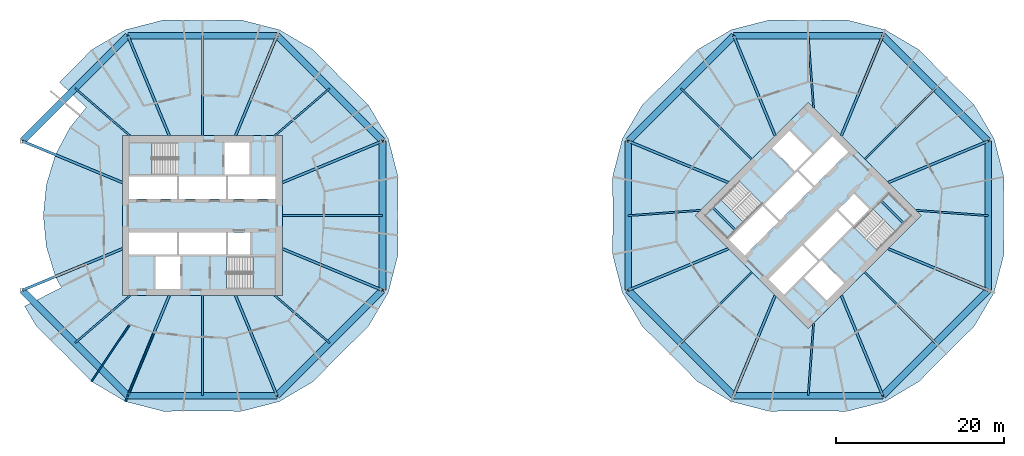
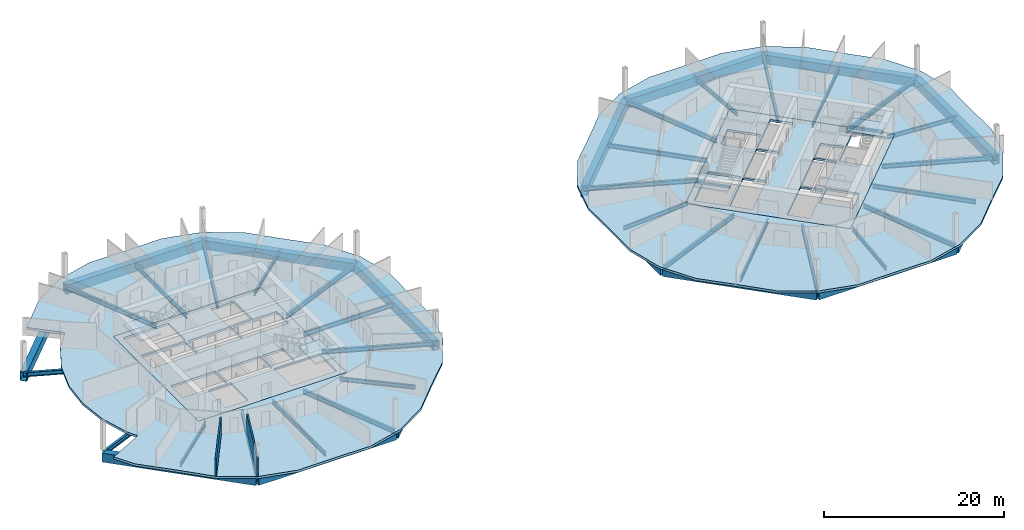
# One storey, part 3 of 10: 48 beams, 8 slabs, 2 walls, 4 elements without a shape of their own.
"""IFC4 building model written with IfcOpenShell, lengths in metres."""

from ifc_helpers import new_model, si_unit, direction, frame, frame_2d, origin, origin_2d, place, context, subcontext, project, spatial, polyline, rectangle, hollow_rectangle, i_section, outline, extrude, material, layer, layer_set, material_profile, profile_set, type_object, element, aggregate, save


model = new_model("IFC4")

# Units and contexts
model_context = context("Model", 3, precision=1e-05, world=origin(), true_north=direction((0.0, 1.0)))
body_context = subcontext(model_context, "Body", "Model", "MODEL_VIEW")
ifc_project = project(units=[si_unit("LENGTHUNIT", "METRE"), si_unit("AREAUNIT", "SQUARE_METRE"), si_unit("VOLUMEUNIT", "CUBIC_METRE"), si_unit("PLANEANGLEUNIT", "RADIAN"), si_unit("MASSUNIT", "GRAM", prefix="KILO")], contexts=[model_context])

# Site, building, storey
site_placement = place(None, origin())
site = spatial("IfcSite", under=ifc_project, at=site_placement, CompositionType="ELEMENT")
building_placement = place(site_placement, origin())
building = spatial("IfcBuilding", under=site, at=building_placement, Name="Ogive Gate Towers", CompositionType="ELEMENT")
storey_placement = place(building_placement, frame((0.0, 0.0, 103.5)))
storey = spatial("IfcBuildingStorey", under=building, at=storey_placement, Name="L24", CompositionType="ELEMENT", Elevation=103.5)

# Beams
ifc_material_1 = material(Name="Steel SM460", Category="steel")
ifc_material_profile_1 = material_profile(ifc_material_1, hollow_rectangle(XDim=0.800048828125, YDim=1.199951171875, WallThickness=0.050048828125, at=origin_2d()), Name="BX 1200x800x50")
ifc_profile_set_1 = profile_set([ifc_material_profile_1], Name="Steel SM460")
beam_type_1 = type_object("IfcBeamType", Name="Edge girder BX 1200x800x50", PredefinedType="BEAM", material=ifc_profile_set_1)
beam_1_placement = place(storey_placement, frame((-57.39697265625, -8.863037109375, -0.89990234375), z_axis=(0.707106781187, -0.707106781187, 0.0), x_axis=(0.707106781187, 0.707106781187, 0.0)))
element("IfcBeam", 1, at=beam_1_placement, inside=storey, type_object=beam_type_1, Name="T1/L24/SBM016", PredefinedType="BEAM", context=body_context, shape_type="SweptSolid", body=[
    extrude(hollow_rectangle(XDim=0.800048828125, YDim=1.199951171875, WallThickness=0.050048828125, at=origin_2d()), origin(), (0.0, 0.0, 1.0), 17.7255859375),
])
beam_2_placement = place(storey_placement, frame((-44.863037109375, -21.39697265625, -0.89990234375), z_axis=(1.0, 0.0, 0.0), x_axis=(0.0, 1.0, 0.0)))
element("IfcBeam", 2, at=beam_2_placement, inside=storey, type_object=beam_type_1, Name="T1/L24/SBM017", PredefinedType="BEAM", context=body_context, shape_type="SweptSolid", body=[
    extrude(hollow_rectangle(XDim=0.800048828125, YDim=1.199951171875, WallThickness=0.050048828125, at=origin_2d()), origin(), (0.0, 0.0, 1.0), 17.72607421875),
])
beam_3_placement = place(storey_placement, frame((-27.136962890625, -21.39697265625, -0.89990234375), z_axis=(0.707106781187, 0.707106781187, 0.0), x_axis=(-0.707106781187, 0.707106781187, 0.0)))
element("IfcBeam", 3, at=beam_3_placement, inside=storey, type_object=beam_type_1, Name="T1/L24/SBM018", PredefinedType="BEAM", context=body_context, shape_type="SweptSolid", body=[
    extrude(hollow_rectangle(XDim=0.800048828125, YDim=1.199951171875, WallThickness=0.050048828125, at=origin_2d()), origin(), (0.0, 0.0, 1.0), 17.7255859375),
])
beam_4_placement = place(storey_placement, frame((-14.60302734375, -8.863037109375, -0.89990234375), z_axis=(0.0, 1.0, 0.0), x_axis=(-1.0, 0.0, 0.0)))
element("IfcBeam", 4, at=beam_4_placement, inside=storey, type_object=beam_type_1, Name="T1/L24/SBM019", PredefinedType="BEAM", context=body_context, shape_type="SweptSolid", body=[
    extrude(hollow_rectangle(XDim=0.800048828125, YDim=1.199951171875, WallThickness=0.050048828125, at=origin_2d()), origin(), (0.0, 0.0, 1.0), 17.72607421875),
])
beam_5_placement = place(storey_placement, frame((-14.60302734375, 8.863037109375, -0.89990234375), z_axis=(-0.707106781187, 0.707106781187, 0.0), x_axis=(-0.707106781187, -0.707106781187, 0.0)))
element("IfcBeam", 5, at=beam_5_placement, inside=storey, type_object=beam_type_1, Name="T1/L24/SBM020", PredefinedType="BEAM", context=body_context, shape_type="SweptSolid", body=[
    extrude(hollow_rectangle(XDim=0.800048828125, YDim=1.199951171875, WallThickness=0.050048828125, at=origin_2d()), origin(), (0.0, 0.0, 1.0), 17.7255859375),
])
beam_6_placement = place(storey_placement, frame((-27.136962890625, 21.39697265625, -0.89990234375), z_axis=(-1.0, 0.0, 0.0), x_axis=(0.0, -1.0, 0.0)))
element("IfcBeam", 6, at=beam_6_placement, inside=storey, type_object=beam_type_1, Name="T1/L24/SBM021", PredefinedType="BEAM", context=body_context, shape_type="SweptSolid", body=[
    extrude(hollow_rectangle(XDim=0.800048828125, YDim=1.199951171875, WallThickness=0.050048828125, at=origin_2d()), origin(), (0.0, 0.0, 1.0), 17.72607421875),
])
for number, where, z_axis, x_axis, name in (
    (7, (-44.863037109375, 21.39697265625, -0.89990234375), (-0.707106781187, -0.707106781187, 0.0), (0.707106781187, -0.707106781187, 0.0), "T1/L24/SBM022"),
    (8, (14.60302734375, -8.863037109375, -0.89990234375), (0.707106781187, -0.707106781187, 0.0), (0.707106781187, 0.707106781187, 0.0), "T2/L24/SBM017"),
):
    element("IfcBeam", number, at=place(storey_placement, frame(where, z_axis=z_axis, x_axis=x_axis)), inside=storey, type_object=beam_type_1, Name=name, PredefinedType="BEAM", context=body_context, shape_type="SweptSolid", body=[
        extrude(hollow_rectangle(XDim=0.800048828125, YDim=1.199951171875, WallThickness=0.050048828125, at=origin_2d()), origin(), (0.0, 0.0, 1.0), 17.7255859375),
    ])
beam_7_placement = place(storey_placement, frame((27.136962890625, -21.39697265625, -0.89990234375), z_axis=(1.0, 0.0, 0.0), x_axis=(0.0, 1.0, 0.0)))
element("IfcBeam", 9, at=beam_7_placement, inside=storey, type_object=beam_type_1, Name="T2/L24/SBM018", PredefinedType="BEAM", context=body_context, shape_type="SweptSolid", body=[
    extrude(hollow_rectangle(XDim=0.800048828125, YDim=1.199951171875, WallThickness=0.050048828125, at=origin_2d()), origin(), (0.0, 0.0, 1.0), 17.72607421875),
])
beam_8_placement = place(storey_placement, frame((44.863037109375, -21.39697265625, -0.89990234375), z_axis=(0.707106781187, 0.707106781187, 0.0), x_axis=(-0.707106781187, 0.707106781187, 0.0)))
element("IfcBeam", 10, at=beam_8_placement, inside=storey, type_object=beam_type_1, Name="T2/L24/SBM019", PredefinedType="BEAM", context=body_context, shape_type="SweptSolid", body=[
    extrude(hollow_rectangle(XDim=0.800048828125, YDim=1.199951171875, WallThickness=0.050048828125, at=origin_2d()), origin(), (0.0, 0.0, 1.0), 17.7255859375),
])
beam_9_placement = place(storey_placement, frame((57.39697265625, -8.863037109375, -0.89990234375), z_axis=(0.0, 1.0, 0.0), x_axis=(-1.0, 0.0, 0.0)))
element("IfcBeam", 11, at=beam_9_placement, inside=storey, type_object=beam_type_1, Name="T2/L24/SBM020", PredefinedType="BEAM", context=body_context, shape_type="SweptSolid", body=[
    extrude(hollow_rectangle(XDim=0.800048828125, YDim=1.199951171875, WallThickness=0.050048828125, at=origin_2d()), origin(), (0.0, 0.0, 1.0), 17.72607421875),
])
beam_10_placement = place(storey_placement, frame((57.39697265625, 8.863037109375, -0.89990234375), z_axis=(-0.707106781187, 0.707106781187, 0.0), x_axis=(-0.707106781187, -0.707106781187, 0.0)))
element("IfcBeam", 12, at=beam_10_placement, inside=storey, type_object=beam_type_1, Name="T2/L24/SBM021", PredefinedType="BEAM", context=body_context, shape_type="SweptSolid", body=[
    extrude(hollow_rectangle(XDim=0.800048828125, YDim=1.199951171875, WallThickness=0.050048828125, at=origin_2d()), origin(), (0.0, 0.0, 1.0), 17.7255859375),
])
beam_11_placement = place(storey_placement, frame((44.863037109375, 21.39697265625, -0.89990234375), z_axis=(-1.0, 0.0, 0.0), x_axis=(0.0, -1.0, 0.0)))
element("IfcBeam", 13, at=beam_11_placement, inside=storey, type_object=beam_type_1, Name="T2/L24/SBM022", PredefinedType="BEAM", context=body_context, shape_type="SweptSolid", body=[
    extrude(hollow_rectangle(XDim=0.800048828125, YDim=1.199951171875, WallThickness=0.050048828125, at=origin_2d()), origin(), (0.0, 0.0, 1.0), 17.72607421875),
])
beam_12_placement = place(storey_placement, frame((27.136962890625, 21.39697265625, -0.89990234375), z_axis=(-0.707106781187, -0.707106781187, 0.0), x_axis=(0.707106781187, -0.707106781187, 0.0)))
element("IfcBeam", 14, at=beam_12_placement, inside=storey, type_object=beam_type_1, Name="T2/L24/SBM023", PredefinedType="BEAM", context=body_context, shape_type="SweptSolid", body=[
    extrude(hollow_rectangle(XDim=0.800048828125, YDim=1.199951171875, WallThickness=0.050048828125, at=origin_2d()), origin(), (0.0, 0.0, 1.0), 17.7255859375),
])
beam_13_placement = place(storey_placement, frame((14.60302734375, 8.863037109375, -0.89990234375), z_axis=(0.0, -1.0, 0.0), x_axis=(1.0, 0.0, 0.0)))
element("IfcBeam", 15, at=beam_13_placement, inside=storey, type_object=beam_type_1, Name="T2/L24/SBM024", PredefinedType="BEAM", context=body_context, shape_type="SweptSolid", body=[
    extrude(hollow_rectangle(XDim=0.800048828125, YDim=1.199951171875, WallThickness=0.050048828125, at=origin_2d()), origin(), (0.0, 0.0, 1.0), 17.72607421875),
])
ifc_material_2 = material(Name="Concrete C40/50", Category="concrete")
ifc_material_profile_2 = material_profile(ifc_material_2, rectangle(XDim=0.25, YDim=0.300048828125, at=origin_2d()), Name="RC 250x300")
ifc_profile_set_2 = profile_set([ifc_material_profile_2], Name="Concrete C40/50")
beam_type_2 = type_object("IfcBeamType", Name="Landing bearer RC 250x300", PredefinedType="BEAM", material=ifc_profile_set_2)
for number, where, z_axis, x_axis, name in (
    (16, (24.650390625, 0.9541015625, 1.60009765625), (0.707106781187, -0.707106781187, 0.0), (0.707106781187, 0.707106781187, 0.0), "T2 L24 stair 1 landing bearer 1"),
    (17, (47.349609375, -0.9541015625, 1.60009765625), (-0.707106781187, 0.707106781187, 0.0), (-0.707106781187, -0.707106781187, 0.0), "T2 L24 stair 2 landing bearer 1"),
):
    element("IfcBeam", number, at=place(storey_placement, frame(where, z_axis=z_axis, x_axis=x_axis)), inside=storey, type_object=beam_type_2, Name=name, PredefinedType="BEAM", context=body_context, shape_type="SweptSolid", body=[
        extrude(rectangle(XDim=0.25, YDim=0.300048828125, at=origin_2d()), origin(), (0.0, 0.0, 1.0), 3.824951171875),
    ])
ifc_material_3 = material(Name="Steel SM355", Category="steel")
ifc_material_profile_3 = material_profile(ifc_material_3, i_section(OverallWidth=0.300048828125, OverallDepth=0.590087890625, WebThickness=0.012939453125, FlangeThickness=0.02490234375, FilletRadius=0.027099609375, at=origin_2d()), Name="HE 600 A")
ifc_profile_set_3 = profile_set([ifc_material_profile_3], Name="Steel SM355")
beam_type_3 = type_object("IfcBeamType", Name="Radial floor beam HE 600 A", PredefinedType="BEAM", material=ifc_profile_set_3)
for number, where, z_axis, x_axis, name in (
    (18, (-45.5, -3.93505859375, -0.594970703125), (-0.923877031545, -0.382689470177, 0.0), (0.382689470177, -0.923877031545, 0.0), "T1/L24/SBM001"),
    (19, (-39.93505859375, -9.5, -0.594970703125), (-0.382689470177, -0.923877031545, 0.0), (0.923877031545, -0.382689470177, 0.0), "T1/L24/SBM003"),
    (20, (-32.06494140625, -9.5, -0.594970703125), (0.382689470177, -0.923877031545, 0.0), (0.923877031545, 0.382689470177, 0.0), "T1/L24/SBM005"),
    (21, (-26.5, -3.93505859375, -0.594970703125), (0.923877031545, -0.382689470177, 0.0), (0.382689470177, 0.923877031545, 0.0), "T1/L24/SBM007"),
    (22, (-26.5, 3.93505859375, -0.594970703125), (0.923877031545, 0.382689470177, 0.0), (-0.382689470177, 0.923877031545, 0.0), "T1/L24/SBM009"),
    (23, (-32.06494140625, 9.5, -0.594970703125), (0.382689470177, 0.923877031545, 0.0), (-0.923877031545, 0.382689470177, 0.0), "T1/L24/SBM011"),
    (24, (-39.93505859375, 9.5, -0.594970703125), (-0.382689470177, 0.923877031545, 0.0), (-0.923877031545, -0.382689470177, 0.0), "T1/L24/SBM013"),
    (25, (-45.5, 3.93505859375, -0.594970703125), (-0.923877031545, 0.382689470177, 0.0), (-0.382689470177, -0.923877031545, 0.0), "T1/L24/SBM015"),
    (26, (26.5, -3.93505859375, -0.594970703125), (-0.923877031545, -0.382689470177, 0.0), (0.382689470177, -0.923877031545, 0.0), "T2/L24/SBM001"),
    (27, (32.06494140625, -9.5, -0.594970703125), (-0.382689470177, -0.923877031545, 0.0), (0.923877031545, -0.382689470177, 0.0), "T2/L24/SBM003"),
    (28, (39.93505859375, -9.5, -0.594970703125), (0.382689470177, -0.923877031545, 0.0), (0.923877031545, 0.382689470177, 0.0), "T2/L24/SBM005"),
    (29, (45.5, -3.93505859375, -0.594970703125), (0.923877031545, -0.382689470177, 0.0), (0.382689470177, 0.923877031545, 0.0), "T2/L24/SBM007"),
    (30, (45.5, 3.93505859375, -0.594970703125), (0.923877031545, 0.382689470177, 0.0), (-0.382689470177, 0.923877031545, 0.0), "T2/L24/SBM009"),
    (31, (39.93505859375, 9.5, -0.594970703125), (0.382689470177, 0.923877031545, 0.0), (-0.923877031545, 0.382689470177, 0.0), "T2/L24/SBM011"),
    (32, (32.06494140625, 9.5, -0.594970703125), (-0.382689470177, 0.923877031545, 0.0), (-0.923877031545, -0.382689470177, 0.0), "T2/L24/SBM013"),
    (33, (26.5, 3.93505859375, -0.594970703125), (-0.923877031545, 0.382689470177, 0.0), (-0.382689470177, -0.923877031545, 0.0), "T2/L24/SBM015"),
):
    element("IfcBeam", number, at=place(storey_placement, frame(where, z_axis=z_axis, x_axis=x_axis)), inside=storey, type_object=beam_type_3, Name=name, PredefinedType="BEAM", context=body_context, shape_type="SweptSolid", body=[
        extrude(i_section(OverallWidth=0.300048828125, OverallDepth=0.590087890625, WebThickness=0.012939453125, FlangeThickness=0.02490234375, FilletRadius=0.027099609375, at=origin_2d()), origin(), (0.0, 0.0, 1.0), 12.877197265625),
    ])
ifc_material_profile_4 = material_profile(ifc_material_3, i_section(OverallWidth=0.2099609375, OverallDepth=0.550048828125, WebThickness=0.010986328125, FlangeThickness=0.01708984375, FilletRadius=0.02392578125, at=origin_2d()), Name="IPE 550")
ifc_profile_set_4 = profile_set([ifc_material_profile_4], Name="Steel SM355")
beam_type_4 = type_object("IfcBeamType", Name="Radial floor beam IPE 550", PredefinedType="BEAM", material=ifc_profile_set_4)
for number, where, z_axis, x_axis, name in (
    (34, (-44.60009765625, -9.5, -0.574951171875), (-0.757366499315, -0.652990034928, 0.0), (0.652990034928, -0.757366499315, 0.0), "T1/L24/SBM002"),
    (35, (-27.39990234375, -9.5, -0.574951171875), (0.757366499315, -0.652990034928, 0.0), (0.652990034928, 0.757366499315, 0.0), "T1/L24/SBM006"),
    (36, (-27.39990234375, 9.5, -0.574951171875), (0.757366499315, 0.652990034928, 0.0), (-0.652990034928, 0.757366499315, 0.0), "T1/L24/SBM010"),
    (37, (-44.60009765625, 9.5, -0.574951171875), (-0.757366499315, 0.652990034928, 0.0), (-0.652990034928, -0.757366499315, 0.0), "T1/L24/SBM014"),
):
    element("IfcBeam", number, at=place(storey_placement, frame(where, z_axis=z_axis, x_axis=x_axis)), inside=storey, type_object=beam_type_4, Name=name, PredefinedType="BEAM", context=body_context, shape_type="SweptSolid", body=[
        extrude(i_section(OverallWidth=0.2099609375, OverallDepth=0.550048828125, WebThickness=0.010986328125, FlangeThickness=0.01708984375, FilletRadius=0.02392578125, at=origin_2d()), origin(), (0.0, 0.0, 1.0), 8.62158203125),
    ])
for number, where, z_axis, x_axis, name in (
    (38, (36.636474609375, -12.798583984375, -0.574951171875), (-0.07382057702, -0.997271538954, 0.0), (0.997271538954, -0.07382057702, 0.0), "T2/L24/SBM004"),
    (39, (48.798583984375, 0.636474609375, -0.574951171875), (0.997271538954, -0.07382057702, 0.0), (0.07382057702, 0.997271538954, 0.0), "T2/L24/SBM008"),
    (40, (36.636474609375, 12.798583984375, -0.574951171875), (-0.07382057702, 0.997271538954, 0.0), (-0.997271538954, -0.07382057702, 0.0), "T2/L24/SBM012"),
    (41, (23.201416015625, 0.636474609375, -0.574951171875), (-0.997271538954, -0.07382057702, 0.0), (0.07382057702, -0.997271538954, 0.0), "T2/L24/SBM016"),
):
    element("IfcBeam", number, at=place(storey_placement, frame(where, z_axis=z_axis, x_axis=x_axis)), inside=storey, type_object=beam_type_4, Name=name, PredefinedType="BEAM", context=body_context, shape_type="SweptSolid", body=[
        extrude(i_section(OverallWidth=0.2099609375, OverallDepth=0.550048828125, WebThickness=0.010986328125, FlangeThickness=0.01708984375, FilletRadius=0.02392578125, at=origin_2d()), origin(), (0.0, 0.0, 1.0), 8.621826171875),
    ])
ifc_material_profile_5 = material_profile(ifc_material_3, i_section(OverallWidth=0.219970703125, OverallDepth=0.60009765625, WebThickness=0.011962890625, FlangeThickness=0.01904296875, FilletRadius=0.02392578125, at=origin_2d()), Name="IPE 600")
ifc_profile_set_5 = profile_set([ifc_material_profile_5], Name="Steel SM355")
beam_type_5 = type_object("IfcBeamType", Name="Radial floor beam IPE 600", PredefinedType="BEAM", material=ifc_profile_set_5)
for number, where, z_axis, x_axis, name in (
    (42, (-36.0, -9.5, -0.60009765625), (0.0, -1.0, 0.0), (1.0, 0.0, 0.0), "T1/L24/SBM004"),
    (43, (-26.5, 0.0, -0.60009765625), (1.0, 0.0, 0.0), (0.0, 1.0, 0.0), "T1/L24/SBM008"),
    (44, (-36.0, 9.5, -0.60009765625), (0.0, 1.0, 0.0), (-1.0, 0.0, 0.0), "T1/L24/SBM012"),
    (45, (29.282470703125, -6.717529296875, -0.60009765625), (-0.707106781187, -0.707106781187, 0.0), (0.707106781187, -0.707106781187, 0.0), "T2/L24/SBM002"),
    (46, (42.717529296875, -6.717529296875, -0.60009765625), (0.707106781187, -0.707106781187, 0.0), (0.707106781187, 0.707106781187, 0.0), "T2/L24/SBM006"),
    (47, (42.717529296875, 6.717529296875, -0.60009765625), (0.707106781187, 0.707106781187, 0.0), (-0.707106781187, 0.707106781187, 0.0), "T2/L24/SBM010"),
    (48, (29.282470703125, 6.717529296875, -0.60009765625), (-0.707106781187, 0.707106781187, 0.0), (-0.707106781187, -0.707106781187, 0.0), "T2/L24/SBM014"),
):
    element("IfcBeam", number, at=place(storey_placement, frame(where, z_axis=z_axis, x_axis=x_axis)), inside=storey, type_object=beam_type_5, Name=name, PredefinedType="BEAM", context=body_context, shape_type="SweptSolid", body=[
        extrude(i_section(OverallWidth=0.219970703125, OverallDepth=0.60009765625, WebThickness=0.011962890625, FlangeThickness=0.01904296875, FilletRadius=0.02392578125, at=origin_2d()), origin(), (0.0, 0.0, 1.0), 11.89697265625),
    ])

# Slabs
ifc_layer_1 = layer(ifc_material_2, 0.300048828125)
ifc_layer_set_1 = layer_set([ifc_layer_1], Name="Core slab C40/50 300 mm")
slab_type_1 = type_object("IfcSlabType", Name="Core slab C40/50 300 mm", PredefinedType="FLOOR", material=ifc_layer_set_1)
slab_1_placement = place(storey_placement, frame((0.0, 0.0, -0.300048828125)))
element("IfcSlab", 49, at=slab_1_placement, inside=storey, type_object=slab_type_1, Name="T1 L24 core slab", PredefinedType="FLOOR", context=body_context, shape_type="SweptSolid", body=[
    extrude(outline(polyline([(-26.5, 9.5), (-26.5, -9.5), (-45.5, -9.5), (-45.5, 9.5), (-26.5, 9.5)]), holes=[polyline([(-39.02490234375, 4.625), (-44.699951171875, 4.625), (-44.699951171875, 2.0), (-39.02490234375, 2.0), (-39.02490234375, 4.625)]), polyline([(-33.22509765625, 2.0), (-33.22509765625, 4.625), (-38.77490234375, 4.625), (-38.77490234375, 2.0), (-33.22509765625, 2.0)]), polyline([(-32.97509765625, 2.0), (-27.300048828125, 2.0), (-27.300048828125, 4.625), (-32.97509765625, 4.625), (-32.97509765625, 2.0)]), polyline([(-44.699951171875, -2.0), (-44.699951171875, -4.625), (-39.02490234375, -4.625), (-39.02490234375, -2.0), (-44.699951171875, -2.0)]), polyline([(-33.22509765625, -2.0), (-38.77490234375, -2.0), (-38.77490234375, -4.625), (-33.22509765625, -4.625), (-33.22509765625, -2.0)]), polyline([(-30.324951171875, -4.625), (-30.324951171875, -2.0), (-32.97509765625, -2.0), (-32.97509765625, -4.625), (-30.324951171875, -4.625)]), polyline([(-33.375, 4.875), (-30.425048828125, 4.875), (-30.425048828125, 8.699951171875), (-33.375, 8.699951171875), (-33.375, 4.875)]), polyline([(-41.574951171875, -4.875), (-41.574951171875, -8.699951171875), (-38.625, -8.699951171875), (-38.625, -4.875), (-41.574951171875, -4.875)]), polyline([(-44.699951171875, 4.875), (-38.885009765625, 4.875), (-38.885009765625, 8.699951171875), (-44.699951171875, 8.699951171875), (-44.699951171875, 4.875)]), polyline([(-27.300048828125, -8.699951171875), (-27.300048828125, -4.875), (-33.114990234375, -4.875), (-33.114990234375, -8.699951171875), (-27.300048828125, -8.699951171875)])]), origin(), (0.0, 0.0, 1.0), 0.300048828125),
])
slab_2_placement = place(storey_placement, frame((0.0, 0.0, -0.300048828125)))
element("IfcSlab", 50, at=slab_2_placement, inside=storey, type_object=slab_type_1, Name="T2 L24 core slab", PredefinedType="FLOOR", context=body_context, shape_type="SweptSolid", body=[
    extrude(outline(polyline([(36.0, 13.43505859375), (49.43505859375, 0.0), (36.0, -13.43505859375), (22.56494140625, 0.0), (36.0, 13.43505859375)]), holes=[polyline([(30.590576171875, 1.13134765625), (26.577880859375, -2.881591796875), (28.43408203125, -4.737548828125), (32.44677734375, -0.724853515625), (30.590576171875, 1.13134765625)]), polyline([(36.548095703125, 3.37646484375), (34.69189453125, 5.232666015625), (30.767333984375, 1.30810546875), (32.62353515625, -0.548095703125), (36.548095703125, 3.37646484375)]), polyline([(36.724853515625, 3.55322265625), (40.737548828125, 7.56591796875), (38.881591796875, 9.422119140625), (34.86865234375, 5.409423828125), (36.724853515625, 3.55322265625)]), polyline([(31.262451171875, -7.56591796875), (33.118408203125, -9.422119140625), (37.13134765625, -5.409423828125), (35.275146484375, -3.55322265625), (31.262451171875, -7.56591796875)]), polyline([(39.37646484375, 0.548095703125), (35.451904296875, -3.37646484375), (37.30810546875, -5.232666015625), (41.232666015625, -1.30810546875), (39.37646484375, 0.548095703125)]), polyline([(43.283203125, 0.742431640625), (41.427001953125, 2.5986328125), (39.55322265625, 0.724853515625), (41.409423828125, -1.13134765625), (43.283203125, 0.742431640625)]), polyline([(34.408935546875, 5.30322265625), (36.4951171875, 7.389404296875), (33.790283203125, 10.093994140625), (31.704345703125, 8.008056640625), (34.408935546875, 5.30322265625)]), polyline([(35.5048828125, -7.389404296875), (38.209716796875, -10.093994140625), (40.295654296875, -8.008056640625), (37.591064453125, -5.30322265625), (35.5048828125, -7.389404296875)]), polyline([(26.40087890625, -2.70458984375), (30.512939453125, 1.406982421875), (27.80810546875, 4.11181640625), (23.6962890625, 0.0), (26.40087890625, -2.70458984375)]), polyline([(48.3037109375, 0.0), (45.59912109375, 2.70458984375), (41.487060546875, -1.406982421875), (44.19189453125, -4.11181640625), (48.3037109375, 0.0)])]), origin(), (0.0, 0.0, 1.0), 0.300048828125),
])
ifc_material_4 = material(Name="Concrete C35/45", Category="concrete")
ifc_layer_2 = layer(ifc_material_4, 0.300048828125)
ifc_layer_set_2 = layer_set([ifc_layer_2], Name="Floor slab 300")
slab_type_2 = type_object("IfcSlabType", Name="Floor slab 300", PredefinedType="FLOOR", material=ifc_layer_set_2)
slab_3_placement = place(storey_placement, frame((0.0, 0.0, -0.300048828125)))
element("IfcSlab", 51, at=slab_3_placement, inside=storey, type_object=slab_type_2, Name="T1/L24/SSL001", PredefinedType="FLOOR", context=body_context, shape_type="SweptSolid", body=[
    extrude(outline(polyline([(-49.172607421875, 19.714111328125), (-52.411865234375, 16.411865234375), (-55.714111328125, 13.172607421875), (-52.99072265625, 15.84423828125), (-49.791015625, 12.860107421875), (-51.72314453125, 10.505859375), (-53.470458984375, 7.236572265625), (-54.546630859375, 3.689208984375), (-54.909912109375, 0.0), (-54.546630859375, -3.689208984375), (-53.470458984375, -7.236572265625), (-52.77099609375, -8.545166015625), (-57.134033203125, -10.768310546875), (-58.08984375, -9.14990234375), (-55.714111328125, -13.172607421875), (-52.411865234375, -16.411865234375), (-49.172607421875, -19.714111328125), (-45.14990234375, -22.08984375), (-40.62548828125, -23.25439453125), (-36.0, -23.2099609375), (-31.37451171875, -23.25439453125), (-26.85009765625, -22.08984375), (-22.827392578125, -19.714111328125), (-19.588134765625, -16.411865234375), (-16.285888671875, -13.172607421875), (-13.91015625, -9.14990234375), (-12.74560546875, -4.62548828125), (-12.7900390625, 0.0), (-12.74560546875, 4.62548828125), (-13.91015625, 9.14990234375), (-16.285888671875, 13.172607421875), (-19.588134765625, 16.411865234375), (-22.827392578125, 19.714111328125), (-26.85009765625, 22.08984375), (-31.37451171875, 23.25439453125), (-36.0, 23.2099609375), (-40.62548828125, 23.25439453125), (-45.14990234375, 22.08984375), (-49.172607421875, 19.714111328125)]), holes=[polyline([(-26.5, -9.5), (-45.5, -9.5), (-45.5, 9.5), (-26.5, 9.5), (-26.5, -9.5)])]), origin(), (0.0, 0.0, 1.0), 0.300048828125),
])
slab_4_placement = place(storey_placement, frame((0.0, 0.0, -0.300048828125)))
element("IfcSlab", 52, at=slab_4_placement, inside=storey, type_object=slab_type_2, Name="T2/L24/SSL001", PredefinedType="FLOOR", context=body_context, shape_type="SweptSolid", body=[
    extrude(outline(polyline([(59.25439453125, -4.62548828125), (59.2099609375, 0.0), (59.25439453125, 4.62548828125), (58.08984375, 9.14990234375), (55.714111328125, 13.172607421875), (52.411865234375, 16.411865234375), (49.172607421875, 19.714111328125), (45.14990234375, 22.08984375), (40.62548828125, 23.25439453125), (36.0, 23.2099609375), (31.37451171875, 23.25439453125), (26.85009765625, 22.08984375), (22.827392578125, 19.714111328125), (19.588134765625, 16.411865234375), (16.285888671875, 13.172607421875), (13.91015625, 9.14990234375), (12.74560546875, 4.62548828125), (12.7900390625, 0.0), (12.74560546875, -4.62548828125), (13.91015625, -9.14990234375), (16.285888671875, -13.172607421875), (19.588134765625, -16.411865234375), (22.827392578125, -19.714111328125), (26.85009765625, -22.08984375), (31.37451171875, -23.25439453125), (36.0, -23.2099609375), (40.62548828125, -23.25439453125), (45.14990234375, -22.08984375), (49.172607421875, -19.714111328125), (52.411865234375, -16.411865234375), (55.714111328125, -13.172607421875), (58.08984375, -9.14990234375), (59.25439453125, -4.62548828125)]), holes=[polyline([(49.43505859375, 0.0), (36.0, -13.43505859375), (22.56494140625, 0.0), (36.0, 13.43505859375), (49.43505859375, 0.0)])]), origin(), (0.0, 0.0, 1.0), 0.300048828125),
])

# Stair, slab
stair_type = type_object("IfcStairType", Name="Escape stair 1840 wide", PredefinedType="HALF_TURN_STAIR", material=ifc_material_2)
stair_1_placement = place(storey_placement, origin())
stair_1 = element("IfcStair", 53, at=stair_1_placement, inside=storey, type_object=stair_type, Name="L24 Escape stair 1", PredefinedType="HALF_TURN_STAIR")
ifc_layer_3 = layer(ifc_material_2, 0.199951171875)
ifc_layer_set_3 = layer_set([ifc_layer_3], Name="Stair landing 200 mm")
slab_type_3 = type_object("IfcSlabType", Name="Stair landing 200 mm", PredefinedType="LANDING", material=ifc_layer_set_3)
slab_5_placement = place(storey_placement, frame((0.0, 0.0, 1.75)))
slab_5 = element("IfcSlab", 54, at=slab_5_placement, type_object=slab_type_3, Name="ST1 landing 1", PredefinedType="LANDING", context=body_context, shape_type="SweptSolid", body=[
    extrude(outline(polyline([(-42.00146484375, 8.699951171875), (-44.699951171875, 8.699951171875), (-44.699951171875, 4.875), (-42.00146484375, 4.875), (-42.00146484375, 8.699951171875)])), origin(), (0.0, 0.0, 1.0), 0.199951171875),
])
aggregate(stair_1, [slab_5])

stair_2_placement = place(storey_placement, origin())
stair_2 = element("IfcStair", 55, at=stair_2_placement, inside=storey, type_object=stair_type, Name="L24 Escape stair 2", PredefinedType="HALF_TURN_STAIR")
slab_6_placement = place(storey_placement, frame((0.0, 0.0, 1.75)))
slab_6 = element("IfcSlab", 56, at=slab_6_placement, type_object=slab_type_3, Name="ST2 landing 1", PredefinedType="LANDING", context=body_context, shape_type="SweptSolid", body=[
    extrude(outline(polyline([(-29.99853515625, -8.699951171875), (-27.300048828125, -8.699951171875), (-27.300048828125, -4.875), (-29.99853515625, -4.875), (-29.99853515625, -8.699951171875)])), origin(), (0.0, 0.0, 1.0), 0.199951171875),
])
aggregate(stair_2, [slab_6])

stair_3_placement = place(storey_placement, origin())
stair_3 = element("IfcStair", 57, at=stair_3_placement, inside=storey, type_object=stair_type, Name="L24 Escape stair 1", PredefinedType="HALF_TURN_STAIR")
slab_7_placement = place(storey_placement, frame((0.0, 0.0, 1.75)))
slab_7 = element("IfcSlab", 58, at=slab_7_placement, type_object=slab_type_3, Name="ST1 landing 1", PredefinedType="LANDING", context=body_context, shape_type="SweptSolid", body=[
    extrude(outline(polyline([(25.6044921875, 1.908203125), (23.6962890625, 0.0), (26.401123046875, -2.70458984375), (28.309326171875, -0.79638671875), (25.6044921875, 1.908203125)])), origin(), (0.0, 0.0, 1.0), 0.199951171875),
])
aggregate(stair_3, [slab_7])

stair_4_placement = place(storey_placement, origin())
stair_4 = element("IfcStair", 59, at=stair_4_placement, inside=storey, type_object=stair_type, Name="L24 Escape stair 2", PredefinedType="HALF_TURN_STAIR")
slab_8_placement = place(storey_placement, frame((0.0, 0.0, 1.75)))
slab_8 = element("IfcSlab", 60, at=slab_8_placement, type_object=slab_type_3, Name="ST2 landing 1", PredefinedType="LANDING", context=body_context, shape_type="SweptSolid", body=[
    extrude(outline(polyline([(46.3955078125, -1.908203125), (48.3037109375, 0.0), (45.598876953125, 2.70458984375), (43.690673828125, 0.79638671875), (46.3955078125, -1.908203125)])), origin(), (0.0, 0.0, 1.0), 0.199951171875),
])
aggregate(stair_4, [slab_8])

# Walls
ifc_material_5 = material(Name="Gypsum board acoustic partition")
ifc_layer_4 = layer(ifc_material_5, 0.175048828125)
ifc_layer_set_4 = layer_set([ifc_layer_4], Name="Acoustic partition 175")
wall_type = type_object("IfcWallType", Name="Acoustic partition 175", PredefinedType="PARTITIONING", material=ifc_layer_set_4)
wall_1_placement = place(storey_placement, frame((-49.1787109375, -19.709716796875, 0.0), z_axis=(0.0, 0.0, 1.0), x_axis=(0.555845830277, 0.831285398021, 0.0)))
element("IfcWall", 61, at=wall_1_placement, inside=storey, type_object=wall_type, Name="Partition T1-L24-017", PredefinedType="PARTITIONING", context=body_context, shape_type="SweptSolid", body=[
    extrude(rectangle(XDim=8.0615234375, YDim=0.175048828125, at=frame_2d((4.03076171875, 0.0))), origin(), (0.0, 0.0, 1.0), 2.39990234375),
])
wall_2_placement = place(storey_placement, frame((-45.14990234375, -22.090087890625, 0.0), z_axis=(0.0, 0.0, 1.0), x_axis=(0.382684585559, 0.923879054842, 0.0)))
element("IfcWall", 62, at=wall_2_placement, inside=storey, type_object=wall_type, Name="Partition T1-L24-018", PredefinedType="PARTITIONING", context=body_context, shape_type="SweptSolid", body=[
    extrude(rectangle(XDim=8.8115234375, YDim=0.175048828125, at=frame_2d((4.40576171875, 0.0))), origin(), (0.0, 0.0, 1.0), 2.39990234375),
])

save(model, "model.ifc")
